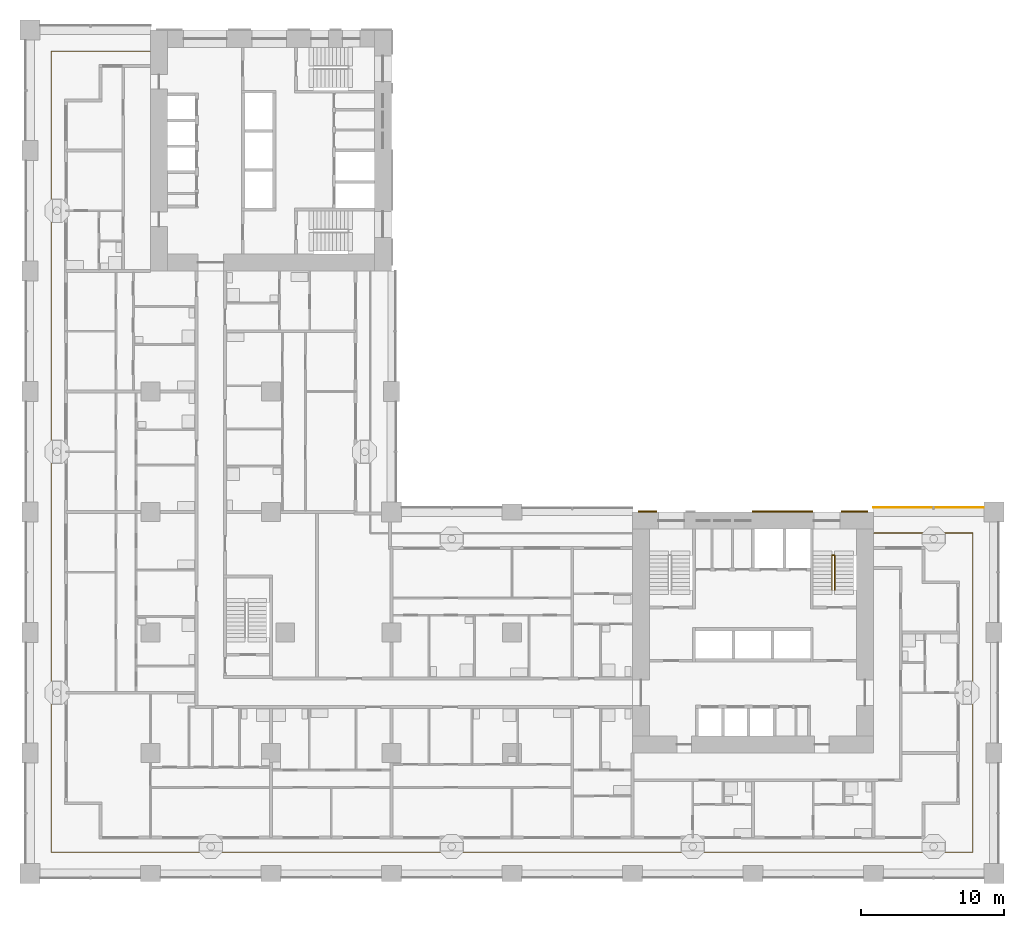
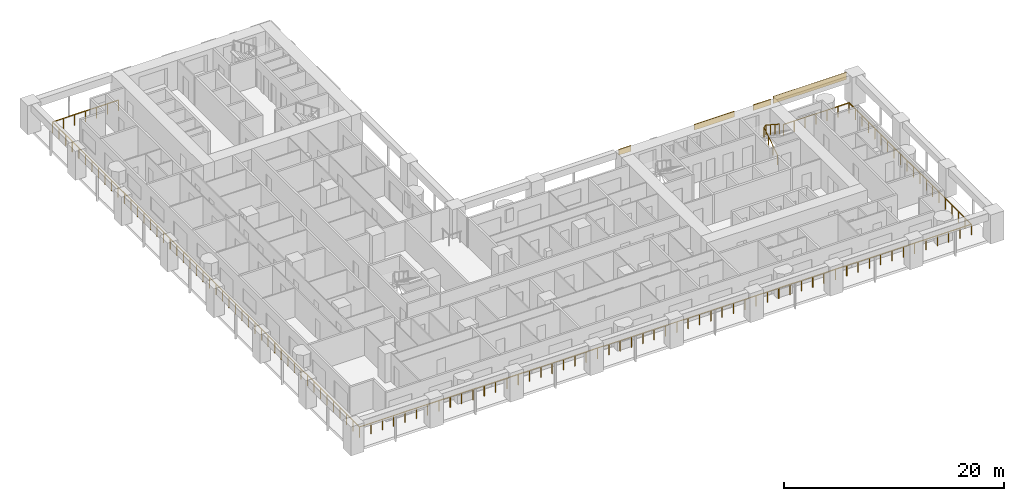
# One storey, part 14 of 22: 4 shading devices, 2 railings.
"""IFC4 building model written with IfcOpenShell, lengths in metres."""

import ifcopenshell
import ifcopenshell.guid

model = None  # the IFC model being written
_history = None  # IfcOwnerHistory: only IFC2X3 demands one
_inside = {}  # id of a spatial element -> (the spatial element, [elements in it])
_under = {}  # id of a project, library or spatial element -> (it, [spatial elements below it])
_declared = {}  # id of a project -> (the project, [libraries it declares])
_typed = {}  # id of a type object -> (the type object, [elements of that type])
_made_of = {}  # id of a material, layer set ... -> (it, [elements and type objects made of it])


def new_model(schema):
    """Start an empty IFC model of exactly this schema.

    Asked for "IFC4X3", IfcOpenShell would pick the latest addendum, in which some entities
    have other attributes; the version numbers below select the first issue.
    IFC2X3 requires an IfcOwnerHistory on every rooted entity: one is made here for all.
    """
    global model, _history
    if schema == "IFC4X3":
        model = ifcopenshell.file(schema_version=(4, 3, 0, 0))
    else:
        model = ifcopenshell.file(schema=schema)
    _inside.clear()
    _under.clear()
    _declared.clear()
    _typed.clear()
    _made_of.clear()
    _history = None
    if model.schema == "IFC2X3":
        org = make("IfcOrganization", Name="unknown")
        user = make(
            "IfcPersonAndOrganization",
            ThePerson=make("IfcPerson", FamilyName="unknown"),
            TheOrganization=org,
        )
        app = make(
            "IfcApplication",
            ApplicationDeveloper=org,
            Version="unknown",
            ApplicationFullName="unknown",
            ApplicationIdentifier="unknown",
        )
        _history = make(
            "IfcOwnerHistory",
            OwningUser=user,
            OwningApplication=app,
            ChangeAction="ADDED",
            CreationDate=0,
        )
    return model


def make(cls, **values):
    """One entity of the class cls with the attributes given. An attribute that is None is left unset."""
    return model.create_entity(
        cls, **{name: value for name, value in values.items() if value is not None}
    )


def rooted(cls, **values):
    """An entity with a GlobalId (a new one), such as an element, a storey or a relation."""
    return make(cls, GlobalId=ifcopenshell.guid.new(), OwnerHistory=_history, **values)


def si_unit(unit_type, name, prefix=None):
    """IfcSIUnit, for example si_unit("LENGTHUNIT", "METRE", prefix="MILLI")."""
    return make("IfcSIUnit", UnitType=unit_type, Prefix=prefix, Name=name)


def assignment(units):
    """IfcUnitAssignment: the units of a project."""
    return None if units is None else make("IfcUnitAssignment", Units=units)


def point(xyz):
    """IfcCartesianPoint."""
    return None if xyz is None else make("IfcCartesianPoint", Coordinates=xyz)


def direction(xyz):
    """IfcDirection."""
    return None if xyz is None else make("IfcDirection", DirectionRatios=xyz)


def frame(location, z_axis=None, x_axis=None):
    """IfcAxis2Placement3D, a coordinate frame: its origin and axes. An axis left out is left unset."""
    return make(
        "IfcAxis2Placement3D",
        Location=point(location),
        Axis=direction(z_axis),
        RefDirection=direction(x_axis),
    )


def frame_2d(location, x_axis=None):
    """IfcAxis2Placement2D, a coordinate frame in the plane: its origin and x axis."""
    return make(
        "IfcAxis2Placement2D", Location=point(location), RefDirection=direction(x_axis)
    )


def origin():
    """The frame at (0, 0, 0) with its axes left unset."""
    return frame((0.0, 0.0, 0.0))


def origin_2d():
    """The frame at (0, 0) in the plane with its x axis left unset."""
    return frame_2d((0.0, 0.0))


def place(relative_to, where):
    """IfcLocalPlacement: puts the frame where relative to a parent placement (None: the world)."""
    return make(
        "IfcLocalPlacement", PlacementRelTo=relative_to, RelativePlacement=where
    )


def context(
    kind, dimensions, precision=None, world=None, true_north=None, identifier=None
):
    """IfcGeometricRepresentationContext, for example the 3D "Model" context."""
    return make(
        "IfcGeometricRepresentationContext",
        ContextIdentifier=identifier,
        ContextType=kind,
        CoordinateSpaceDimension=dimensions,
        Precision=precision,
        WorldCoordinateSystem=world,
        TrueNorth=true_north,
    )


def subcontext(parent, identifier, kind, view, scale=None):
    """IfcGeometricRepresentationSubContext, for example "Body" below "Model"."""
    return make(
        "IfcGeometricRepresentationSubContext",
        ContextIdentifier=identifier,
        ContextType=kind,
        ParentContext=parent,
        TargetScale=scale,
        TargetView=view,
    )


def project(units=None, contexts=None):
    """IfcProject with its units and contexts."""
    return rooted(
        "IfcProject",
        Name="project",
        RepresentationContexts=contexts,
        UnitsInContext=assignment(units),
    )


def spatial(cls, under=None, at=None, **own):
    """A site, building, storey or space (cls), placed at a placement, below another one or the project."""
    s = rooted(cls, ObjectPlacement=at, **own)
    if under is not None:
        _under.setdefault(under.id(), (under, []))[1].append(s)
    return s


def profile(cls, at=None, kind="AREA", **sizes):
    """A parametric profile (cls). Its sizes go by their IFC names, for example OverallWidth=200.0."""
    return make(cls, ProfileType=kind, Position=at, **sizes)


def rectangle(**sizes):
    """IfcRectangleProfileDef."""
    return profile("IfcRectangleProfileDef", **sizes)


def circle(**sizes):
    """IfcCircleProfileDef."""
    return profile("IfcCircleProfileDef", **sizes)


def extrude(swept, where, along, depth):
    """IfcExtrudedAreaSolid: the profile swept, set in the frame where, extruded along a direction by depth."""
    return make(
        "IfcExtrudedAreaSolid",
        SweptArea=swept,
        Position=where,
        ExtrudedDirection=direction(along),
        Depth=depth,
    )


def shape(context_of_items, identifier, shape_type, items):
    """IfcShapeRepresentation: the items that make up one representation, for example the "Body"."""
    return make(
        "IfcShapeRepresentation",
        ContextOfItems=context_of_items,
        RepresentationIdentifier=identifier,
        RepresentationType=shape_type,
        Items=items,
    )


def material(Name=None, Category=None):
    """IfcMaterial."""
    return make("IfcMaterial", Name=Name, Category=Category)


def layer(
    of_material, thickness, ventilated=None, Name=None, Category=None, Priority=None
):
    """IfcMaterialLayer: one layer of a wall or slab, of a material (None: an air gap)."""
    return make(
        "IfcMaterialLayer",
        Material=of_material,
        LayerThickness=thickness,
        IsVentilated=ventilated,
        Name=Name,
        Category=Category,
        Priority=Priority,
    )


def layer_set(layers, Name=None):
    """IfcMaterialLayerSet."""
    return make("IfcMaterialLayerSet", MaterialLayers=layers, LayerSetName=Name)


def made_of(thing, what):
    """Note that an element or type object is made of a material, layer set ...; save() writes the relation."""
    if what is not None:
        _made_of.setdefault(what.id(), (what, []))[1].append(thing)
    return thing


def type_object(cls, material=None, **own):
    """A type object (cls), such as IfcWallType, which elements share."""
    return made_of(rooted(cls, **own), material)


def element(
    cls,
    number,
    at=None,
    inside=None,
    cuts=None,
    type_object=None,
    material=None,
    context=None,
    identifier="Body",
    shape_type=None,
    held_by="IfcProductDefinitionShape",
    body=None,
    shapes=None,
    **own,
):
    """One element of the class cls, such as IfcWall. Its Tag is "e" and its number.

    at: its placement. inside: the storey or other place that contains it. cuts: it is an
    opening in that element (IfcRelVoidsElement). A single representation is given by context,
    identifier, shape_type and body (its items); several are given by shapes. held_by: the class
    of the entity that holds the representations. save() writes the other relations.
    """
    e = rooted(cls, Tag="e%d" % number, ObjectPlacement=at, **own)
    if body is not None:
        shapes = [shape(context, identifier, shape_type, body)]
    if shapes is not None:
        e.Representation = make(held_by, Representations=shapes)
    if inside is not None:
        _inside.setdefault(inside.id(), (inside, []))[1].append(e)
    if cuts is not None:
        rooted(
            "IfcRelVoidsElement", RelatingBuildingElement=cuts, RelatedOpeningElement=e
        )
    if type_object is not None:
        _typed.setdefault(type_object.id(), (type_object, []))[1].append(e)
    return made_of(e, material)


def aggregate(whole, parts):
    """IfcRelAggregates: a whole, such as a stair, and the parts it consists of."""
    return rooted("IfcRelAggregates", RelatingObject=whole, RelatedObjects=parts)


def save(model, path):
    """Write the relations noted so far, then the file.

    IfcRelAggregates (storeys below a building ...), IfcRelContainedInSpatialStructure (elements
    in a storey), IfcRelDefinesByType, IfcRelAssociatesMaterial and IfcRelDeclares: one each for
    every whole, place, type object, material and project.
    """
    for whole, parts in _under.values():
        aggregate(whole, parts)
    for where, things in _inside.values():
        rooted(
            "IfcRelContainedInSpatialStructure",
            RelatedElements=things,
            RelatingStructure=where,
        )
    for kind, things in _typed.values():
        rooted("IfcRelDefinesByType", RelatedObjects=things, RelatingType=kind)
    for what, things in _made_of.values():
        rooted("IfcRelAssociatesMaterial", RelatedObjects=things, RelatingMaterial=what)
    for by, libraries in _declared.values():
        rooted("IfcRelDeclares", RelatingContext=by, RelatedDefinitions=libraries)
    model.write(path)


model = new_model("IFC4")

# Units and contexts
model_context = context("Model", 3, precision=1e-05, world=origin(), true_north=direction((0.0, 1.0)))
body_context = subcontext(model_context, "Body", "Model", "MODEL_VIEW")
ifc_project = project(units=[si_unit("LENGTHUNIT", "METRE"), si_unit("AREAUNIT", "SQUARE_METRE"), si_unit("VOLUMEUNIT", "CUBIC_METRE"), si_unit("PLANEANGLEUNIT", "RADIAN"), si_unit("MASSUNIT", "GRAM", prefix="KILO")], contexts=[model_context])

# Site, building, storey
site_placement = place(None, origin())
site = spatial("IfcSite", under=ifc_project, at=site_placement, CompositionType="ELEMENT")
building_placement = place(site_placement, origin())
building = spatial("IfcBuilding", under=site, at=building_placement, Name="Vermilion Gate Residences", CompositionType="ELEMENT")
storey_placement = place(building_placement, frame((0.0, 0.0, 56.699951171875)))
storey = spatial("IfcBuildingStorey", under=building, at=storey_placement, Name="L13", CompositionType="ELEMENT", Elevation=56.699951171875)

# Railing
ifc_material_1 = material(Name="Stainless steel and toughened glass", Category="steel")
railing_type_1 = type_object("IfcRailingType", Name="LOGGIA GUARD STEEL AND GLASS 1200", PredefinedType="GUARDRAIL", material=ifc_material_1)
railing_1_placement = place(storey_placement, frame((8.3779296875, 57.324951171875, 0.0)))
element("IfcRailing", 1, at=railing_1_placement, inside=storey, type_object=railing_type_1, Name="Loggia guard", PredefinedType="GUARDRAIL", context=body_context, shape_type="SweptSolid", body=[
    extrude(circle(Radius=0.030029296875, at=origin_2d()), frame((0.0, 0.0, 1.169921875), z_axis=(-1.0, 0.0, 0.0), x_axis=(0.0, -1.0, 0.0)), (0.0, 0.0, 1.0), 6.90283203125),
    extrude(circle(Radius=0.030029296875, at=origin_2d()), frame((-6.90283203125, 0.0, 1.169921875), z_axis=(0.0, -1.0, 0.0), x_axis=(1.0, 0.0, 0.0)), (0.0, 0.0, 1.0), 55.849853515625),
    extrude(circle(Radius=0.030029296875, at=origin_2d()), frame((-6.90283203125, -55.849853515625, 1.169921875), z_axis=(1.0, 0.0, 0.0), x_axis=(0.0, 1.0, 0.0)), (0.0, 0.0, 1.0), 64.25),
    extrude(circle(Radius=0.030029296875, at=origin_2d()), frame((57.34716796875, -55.849853515625, 1.169921875), z_axis=(0.0, 1.0, 0.0), x_axis=(-1.0, 0.0, 0.0)), (0.0, 0.0, 1.0), 22.25),
    extrude(circle(Radius=0.030029296875, at=origin_2d()), frame((57.34716796875, -33.599853515625, 1.169921875), z_axis=(-1.0, 0.0, 0.0), x_axis=(0.0, -1.0, 0.0)), (0.0, 0.0, 1.0), 6.903076171875),
    extrude(circle(Radius=0.02490234375, at=origin_2d()), origin(), (0.0, 0.0, 1.0), 1.139892578125),
    extrude(circle(Radius=0.02490234375, at=origin_2d()), frame((-1.150390625, 0.0, 0.0)), (0.0, 0.0, 1.0), 1.139892578125),
    extrude(circle(Radius=0.02490234375, at=origin_2d()), frame((-2.301025390625, 0.0, 0.0)), (0.0, 0.0, 1.0), 1.139892578125),
    extrude(circle(Radius=0.02490234375, at=origin_2d()), frame((-3.451416015625, 0.0, 0.0)), (0.0, 0.0, 1.0), 1.139892578125),
    extrude(circle(Radius=0.02490234375, at=origin_2d()), frame((-4.601806640625, 0.0, 0.0)), (0.0, 0.0, 1.0), 1.139892578125),
    extrude(circle(Radius=0.02490234375, at=origin_2d()), frame((-5.75244140625, 0.0, 0.0)), (0.0, 0.0, 1.0), 1.139892578125),
    extrude(circle(Radius=0.02490234375, at=origin_2d()), frame((-6.90283203125, 0.0, 0.0)), (0.0, 0.0, 1.0), 1.139892578125),
    extrude(circle(Radius=0.02490234375, at=origin_2d()), frame((-6.90283203125, -1.188232421875, 0.0)), (0.0, 0.0, 1.0), 1.139892578125),
    extrude(circle(Radius=0.02490234375, at=origin_2d()), frame((-6.90283203125, -2.376708984375, 0.0)), (0.0, 0.0, 1.0), 1.139892578125),
    extrude(circle(Radius=0.02490234375, at=origin_2d()), frame((-6.90283203125, -3.56494140625, 0.0)), (0.0, 0.0, 1.0), 1.139892578125),
    extrude(circle(Radius=0.02490234375, at=origin_2d()), frame((-6.90283203125, -4.753173828125, 0.0)), (0.0, 0.0, 1.0), 1.139892578125),
    extrude(circle(Radius=0.02490234375, at=origin_2d()), frame((-6.90283203125, -5.94140625, 0.0)), (0.0, 0.0, 1.0), 1.139892578125),
    extrude(circle(Radius=0.02490234375, at=origin_2d()), frame((-6.90283203125, -7.1298828125, 0.0)), (0.0, 0.0, 1.0), 1.139892578125),
    extrude(circle(Radius=0.02490234375, at=origin_2d()), frame((-6.90283203125, -8.318115234375, 0.0)), (0.0, 0.0, 1.0), 1.139892578125),
    extrude(circle(Radius=0.02490234375, at=origin_2d()), frame((-6.90283203125, -9.50634765625, 0.0)), (0.0, 0.0, 1.0), 1.139892578125),
    extrude(circle(Radius=0.02490234375, at=origin_2d()), frame((-6.90283203125, -10.694580078125, 0.0)), (0.0, 0.0, 1.0), 1.139892578125),
    extrude(circle(Radius=0.02490234375, at=origin_2d()), frame((-6.90283203125, -11.883056640625, 0.0)), (0.0, 0.0, 1.0), 1.139892578125),
    extrude(circle(Radius=0.02490234375, at=origin_2d()), frame((-6.90283203125, -13.0712890625, 0.0)), (0.0, 0.0, 1.0), 1.139892578125),
    extrude(circle(Radius=0.02490234375, at=origin_2d()), frame((-6.90283203125, -14.259521484375, 0.0)), (0.0, 0.0, 1.0), 1.139892578125),
    extrude(circle(Radius=0.02490234375, at=origin_2d()), frame((-6.90283203125, -15.44775390625, 0.0)), (0.0, 0.0, 1.0), 1.139892578125),
    extrude(circle(Radius=0.02490234375, at=origin_2d()), frame((-6.90283203125, -16.63623046875, 0.0)), (0.0, 0.0, 1.0), 1.139892578125),
    extrude(circle(Radius=0.02490234375, at=origin_2d()), frame((-6.90283203125, -17.824462890625, 0.0)), (0.0, 0.0, 1.0), 1.139892578125),
    extrude(circle(Radius=0.02490234375, at=origin_2d()), frame((-6.90283203125, -19.0126953125, 0.0)), (0.0, 0.0, 1.0), 1.139892578125),
    extrude(circle(Radius=0.02490234375, at=origin_2d()), frame((-6.90283203125, -20.200927734375, 0.0)), (0.0, 0.0, 1.0), 1.139892578125),
    extrude(circle(Radius=0.02490234375, at=origin_2d()), frame((-6.90283203125, -21.389404296875, 0.0)), (0.0, 0.0, 1.0), 1.139892578125),
    extrude(circle(Radius=0.02490234375, at=origin_2d()), frame((-6.90283203125, -22.57763671875, 0.0)), (0.0, 0.0, 1.0), 1.139892578125),
    extrude(circle(Radius=0.02490234375, at=origin_2d()), frame((-6.90283203125, -23.765869140625, 0.0)), (0.0, 0.0, 1.0), 1.139892578125),
    extrude(circle(Radius=0.02490234375, at=origin_2d()), frame((-6.90283203125, -24.9541015625, 0.0)), (0.0, 0.0, 1.0), 1.139892578125),
    extrude(circle(Radius=0.02490234375, at=origin_2d()), frame((-6.90283203125, -26.142578125, 0.0)), (0.0, 0.0, 1.0), 1.139892578125),
    extrude(circle(Radius=0.02490234375, at=origin_2d()), frame((-6.90283203125, -27.330810546875, 0.0)), (0.0, 0.0, 1.0), 1.139892578125),
    extrude(circle(Radius=0.02490234375, at=origin_2d()), frame((-6.90283203125, -28.51904296875, 0.0)), (0.0, 0.0, 1.0), 1.139892578125),
    extrude(circle(Radius=0.02490234375, at=origin_2d()), frame((-6.90283203125, -29.707275390625, 0.0)), (0.0, 0.0, 1.0), 1.139892578125),
    extrude(circle(Radius=0.02490234375, at=origin_2d()), frame((-6.90283203125, -30.895751953125, 0.0)), (0.0, 0.0, 1.0), 1.139892578125),
    extrude(circle(Radius=0.02490234375, at=origin_2d()), frame((-6.90283203125, -32.083984375, 0.0)), (0.0, 0.0, 1.0), 1.139892578125),
    extrude(circle(Radius=0.02490234375, at=origin_2d()), frame((-6.90283203125, -33.272216796875, 0.0)), (0.0, 0.0, 1.0), 1.139892578125),
    extrude(circle(Radius=0.02490234375, at=origin_2d()), frame((-6.90283203125, -34.46044921875, 0.0)), (0.0, 0.0, 1.0), 1.139892578125),
    extrude(circle(Radius=0.02490234375, at=origin_2d()), frame((-6.90283203125, -35.64892578125, 0.0)), (0.0, 0.0, 1.0), 1.139892578125),
    extrude(circle(Radius=0.02490234375, at=origin_2d()), frame((-6.90283203125, -36.837158203125, 0.0)), (0.0, 0.0, 1.0), 1.139892578125),
    extrude(circle(Radius=0.02490234375, at=origin_2d()), frame((-6.90283203125, -38.025390625, 0.0)), (0.0, 0.0, 1.0), 1.139892578125),
    extrude(circle(Radius=0.02490234375, at=origin_2d()), frame((-6.90283203125, -39.213623046875, 0.0)), (0.0, 0.0, 1.0), 1.139892578125),
    extrude(circle(Radius=0.02490234375, at=origin_2d()), frame((-6.90283203125, -40.402099609375, 0.0)), (0.0, 0.0, 1.0), 1.139892578125),
    extrude(circle(Radius=0.02490234375, at=origin_2d()), frame((-6.90283203125, -41.59033203125, 0.0)), (0.0, 0.0, 1.0), 1.139892578125),
    extrude(circle(Radius=0.02490234375, at=origin_2d()), frame((-6.90283203125, -42.778564453125, 0.0)), (0.0, 0.0, 1.0), 1.139892578125),
    extrude(circle(Radius=0.02490234375, at=origin_2d()), frame((-6.90283203125, -43.966796875, 0.0)), (0.0, 0.0, 1.0), 1.139892578125),
    extrude(circle(Radius=0.02490234375, at=origin_2d()), frame((-6.90283203125, -45.1552734375, 0.0)), (0.0, 0.0, 1.0), 1.139892578125),
    extrude(circle(Radius=0.02490234375, at=origin_2d()), frame((-6.90283203125, -46.343505859375, 0.0)), (0.0, 0.0, 1.0), 1.139892578125),
    extrude(circle(Radius=0.02490234375, at=origin_2d()), frame((-6.90283203125, -47.53173828125, 0.0)), (0.0, 0.0, 1.0), 1.139892578125),
    extrude(circle(Radius=0.02490234375, at=origin_2d()), frame((-6.90283203125, -48.719970703125, 0.0)), (0.0, 0.0, 1.0), 1.139892578125),
    extrude(circle(Radius=0.02490234375, at=origin_2d()), frame((-6.90283203125, -49.908447265625, 0.0)), (0.0, 0.0, 1.0), 1.139892578125),
    extrude(circle(Radius=0.02490234375, at=origin_2d()), frame((-6.90283203125, -51.0966796875, 0.0)), (0.0, 0.0, 1.0), 1.139892578125),
    extrude(circle(Radius=0.02490234375, at=origin_2d()), frame((-6.90283203125, -52.284912109375, 0.0)), (0.0, 0.0, 1.0), 1.139892578125),
    extrude(circle(Radius=0.02490234375, at=origin_2d()), frame((-6.90283203125, -53.47314453125, 0.0)), (0.0, 0.0, 1.0), 1.139892578125),
    extrude(circle(Radius=0.02490234375, at=origin_2d()), frame((-6.90283203125, -54.66162109375, 0.0)), (0.0, 0.0, 1.0), 1.139892578125),
    extrude(circle(Radius=0.02490234375, at=origin_2d()), frame((-6.90283203125, -55.849853515625, 0.0)), (0.0, 0.0, 1.0), 1.139892578125),
    extrude(circle(Radius=0.02490234375, at=origin_2d()), frame((-5.713134765625, -55.849853515625, 0.0)), (0.0, 0.0, 1.0), 1.139892578125),
    extrude(circle(Radius=0.02490234375, at=origin_2d()), frame((-4.523193359375, -55.849853515625, 0.0)), (0.0, 0.0, 1.0), 1.139892578125),
    extrude(circle(Radius=0.02490234375, at=origin_2d()), frame((-3.33349609375, -55.849853515625, 0.0)), (0.0, 0.0, 1.0), 1.139892578125),
    extrude(circle(Radius=0.02490234375, at=origin_2d()), frame((-2.1435546875, -55.849853515625, 0.0)), (0.0, 0.0, 1.0), 1.139892578125),
    extrude(circle(Radius=0.02490234375, at=origin_2d()), frame((-0.953857421875, -55.849853515625, 0.0)), (0.0, 0.0, 1.0), 1.139892578125),
    extrude(circle(Radius=0.02490234375, at=origin_2d()), frame((0.236083984375, -55.849853515625, 0.0)), (0.0, 0.0, 1.0), 1.139892578125),
    extrude(circle(Radius=0.02490234375, at=origin_2d()), frame((1.42578125, -55.849853515625, 0.0)), (0.0, 0.0, 1.0), 1.139892578125),
    extrude(circle(Radius=0.02490234375, at=origin_2d()), frame((2.61572265625, -55.849853515625, 0.0)), (0.0, 0.0, 1.0), 1.139892578125),
    extrude(circle(Radius=0.02490234375, at=origin_2d()), frame((3.805419921875, -55.849853515625, 0.0)), (0.0, 0.0, 1.0), 1.139892578125),
    extrude(circle(Radius=0.02490234375, at=origin_2d()), frame((4.995361328125, -55.849853515625, 0.0)), (0.0, 0.0, 1.0), 1.139892578125),
    extrude(circle(Radius=0.02490234375, at=origin_2d()), frame((6.18505859375, -55.849853515625, 0.0)), (0.0, 0.0, 1.0), 1.139892578125),
    extrude(circle(Radius=0.02490234375, at=origin_2d()), frame((7.375, -55.849853515625, 0.0)), (0.0, 0.0, 1.0), 1.139892578125),
    extrude(circle(Radius=0.02490234375, at=origin_2d()), frame((8.564697265625, -55.849853515625, 0.0)), (0.0, 0.0, 1.0), 1.139892578125),
    extrude(circle(Radius=0.02490234375, at=origin_2d()), frame((9.754638671875, -55.849853515625, 0.0)), (0.0, 0.0, 1.0), 1.139892578125),
    extrude(circle(Radius=0.02490234375, at=origin_2d()), frame((10.9443359375, -55.849853515625, 0.0)), (0.0, 0.0, 1.0), 1.139892578125),
    extrude(circle(Radius=0.02490234375, at=origin_2d()), frame((12.13427734375, -55.849853515625, 0.0)), (0.0, 0.0, 1.0), 1.139892578125),
    extrude(circle(Radius=0.02490234375, at=origin_2d()), frame((13.323974609375, -55.849853515625, 0.0)), (0.0, 0.0, 1.0), 1.139892578125),
    extrude(circle(Radius=0.02490234375, at=origin_2d()), frame((14.513916015625, -55.849853515625, 0.0)), (0.0, 0.0, 1.0), 1.139892578125),
    extrude(circle(Radius=0.02490234375, at=origin_2d()), frame((15.70361328125, -55.849853515625, 0.0)), (0.0, 0.0, 1.0), 1.139892578125),
    extrude(circle(Radius=0.02490234375, at=origin_2d()), frame((16.8935546875, -55.849853515625, 0.0)), (0.0, 0.0, 1.0), 1.139892578125),
    extrude(circle(Radius=0.02490234375, at=origin_2d()), frame((18.083251953125, -55.849853515625, 0.0)), (0.0, 0.0, 1.0), 1.139892578125),
    extrude(circle(Radius=0.02490234375, at=origin_2d()), frame((19.273193359375, -55.849853515625, 0.0)), (0.0, 0.0, 1.0), 1.139892578125),
    extrude(circle(Radius=0.02490234375, at=origin_2d()), frame((20.462890625, -55.849853515625, 0.0)), (0.0, 0.0, 1.0), 1.139892578125),
    extrude(circle(Radius=0.02490234375, at=origin_2d()), frame((21.65283203125, -55.849853515625, 0.0)), (0.0, 0.0, 1.0), 1.139892578125),
    extrude(circle(Radius=0.02490234375, at=origin_2d()), frame((22.842529296875, -55.849853515625, 0.0)), (0.0, 0.0, 1.0), 1.139892578125),
    extrude(circle(Radius=0.02490234375, at=origin_2d()), frame((24.032470703125, -55.849853515625, 0.0)), (0.0, 0.0, 1.0), 1.139892578125),
    extrude(circle(Radius=0.02490234375, at=origin_2d()), frame((25.22216796875, -55.849853515625, 0.0)), (0.0, 0.0, 1.0), 1.139892578125),
    extrude(circle(Radius=0.02490234375, at=origin_2d()), frame((26.411865234375, -55.849853515625, 0.0)), (0.0, 0.0, 1.0), 1.139892578125),
    extrude(circle(Radius=0.02490234375, at=origin_2d()), frame((27.601806640625, -55.849853515625, 0.0)), (0.0, 0.0, 1.0), 1.139892578125),
    extrude(circle(Radius=0.02490234375, at=origin_2d()), frame((28.79150390625, -55.849853515625, 0.0)), (0.0, 0.0, 1.0), 1.139892578125),
    extrude(circle(Radius=0.02490234375, at=origin_2d()), frame((29.9814453125, -55.849853515625, 0.0)), (0.0, 0.0, 1.0), 1.139892578125),
    extrude(circle(Radius=0.02490234375, at=origin_2d()), frame((31.171142578125, -55.849853515625, 0.0)), (0.0, 0.0, 1.0), 1.139892578125),
    extrude(circle(Radius=0.02490234375, at=origin_2d()), frame((32.361083984375, -55.849853515625, 0.0)), (0.0, 0.0, 1.0), 1.139892578125),
    extrude(circle(Radius=0.02490234375, at=origin_2d()), frame((33.55078125, -55.849853515625, 0.0)), (0.0, 0.0, 1.0), 1.139892578125),
    extrude(circle(Radius=0.02490234375, at=origin_2d()), frame((34.74072265625, -55.849853515625, 0.0)), (0.0, 0.0, 1.0), 1.139892578125),
    extrude(circle(Radius=0.02490234375, at=origin_2d()), frame((35.930419921875, -55.849853515625, 0.0)), (0.0, 0.0, 1.0), 1.139892578125),
    extrude(circle(Radius=0.02490234375, at=origin_2d()), frame((37.120361328125, -55.849853515625, 0.0)), (0.0, 0.0, 1.0), 1.139892578125),
    extrude(circle(Radius=0.02490234375, at=origin_2d()), frame((38.31005859375, -55.849853515625, 0.0)), (0.0, 0.0, 1.0), 1.139892578125),
    extrude(circle(Radius=0.02490234375, at=origin_2d()), frame((39.5, -55.849853515625, 0.0)), (0.0, 0.0, 1.0), 1.139892578125),
    extrude(circle(Radius=0.02490234375, at=origin_2d()), frame((40.689697265625, -55.849853515625, 0.0)), (0.0, 0.0, 1.0), 1.139892578125),
    extrude(circle(Radius=0.02490234375, at=origin_2d()), frame((41.879638671875, -55.849853515625, 0.0)), (0.0, 0.0, 1.0), 1.139892578125),
    extrude(circle(Radius=0.02490234375, at=origin_2d()), frame((43.0693359375, -55.849853515625, 0.0)), (0.0, 0.0, 1.0), 1.139892578125),
    extrude(circle(Radius=0.02490234375, at=origin_2d()), frame((44.25927734375, -55.849853515625, 0.0)), (0.0, 0.0, 1.0), 1.139892578125),
    extrude(circle(Radius=0.02490234375, at=origin_2d()), frame((45.448974609375, -55.849853515625, 0.0)), (0.0, 0.0, 1.0), 1.139892578125),
    extrude(circle(Radius=0.02490234375, at=origin_2d()), frame((46.638916015625, -55.849853515625, 0.0)), (0.0, 0.0, 1.0), 1.139892578125),
    extrude(circle(Radius=0.02490234375, at=origin_2d()), frame((47.82861328125, -55.849853515625, 0.0)), (0.0, 0.0, 1.0), 1.139892578125),
    extrude(circle(Radius=0.02490234375, at=origin_2d()), frame((49.0185546875, -55.849853515625, 0.0)), (0.0, 0.0, 1.0), 1.139892578125),
    extrude(circle(Radius=0.02490234375, at=origin_2d()), frame((50.208251953125, -55.849853515625, 0.0)), (0.0, 0.0, 1.0), 1.139892578125),
    extrude(circle(Radius=0.02490234375, at=origin_2d()), frame((51.398193359375, -55.849853515625, 0.0)), (0.0, 0.0, 1.0), 1.139892578125),
    extrude(circle(Radius=0.02490234375, at=origin_2d()), frame((52.587890625, -55.849853515625, 0.0)), (0.0, 0.0, 1.0), 1.139892578125),
    extrude(circle(Radius=0.02490234375, at=origin_2d()), frame((53.77783203125, -55.849853515625, 0.0)), (0.0, 0.0, 1.0), 1.139892578125),
    extrude(circle(Radius=0.02490234375, at=origin_2d()), frame((54.967529296875, -55.849853515625, 0.0)), (0.0, 0.0, 1.0), 1.139892578125),
    extrude(circle(Radius=0.02490234375, at=origin_2d()), frame((56.157470703125, -55.849853515625, 0.0)), (0.0, 0.0, 1.0), 1.139892578125),
    extrude(circle(Radius=0.02490234375, at=origin_2d()), frame((57.34716796875, -55.849853515625, 0.0)), (0.0, 0.0, 1.0), 1.139892578125),
    extrude(circle(Radius=0.02490234375, at=origin_2d()), frame((57.34716796875, -54.6787109375, 0.0)), (0.0, 0.0, 1.0), 1.139892578125),
    extrude(circle(Radius=0.02490234375, at=origin_2d()), frame((57.34716796875, -53.5078125, 0.0)), (0.0, 0.0, 1.0), 1.139892578125),
    extrude(circle(Radius=0.02490234375, at=origin_2d()), frame((57.34716796875, -52.336669921875, 0.0)), (0.0, 0.0, 1.0), 1.139892578125),
    extrude(circle(Radius=0.02490234375, at=origin_2d()), frame((57.34716796875, -51.16552734375, 0.0)), (0.0, 0.0, 1.0), 1.139892578125),
    extrude(circle(Radius=0.02490234375, at=origin_2d()), frame((57.34716796875, -49.99462890625, 0.0)), (0.0, 0.0, 1.0), 1.139892578125),
    extrude(circle(Radius=0.02490234375, at=origin_2d()), frame((57.34716796875, -48.823486328125, 0.0)), (0.0, 0.0, 1.0), 1.139892578125),
    extrude(circle(Radius=0.02490234375, at=origin_2d()), frame((57.34716796875, -47.652587890625, 0.0)), (0.0, 0.0, 1.0), 1.139892578125),
    extrude(circle(Radius=0.02490234375, at=origin_2d()), frame((57.34716796875, -46.4814453125, 0.0)), (0.0, 0.0, 1.0), 1.139892578125),
    extrude(circle(Radius=0.02490234375, at=origin_2d()), frame((57.34716796875, -45.310302734375, 0.0)), (0.0, 0.0, 1.0), 1.139892578125),
    extrude(circle(Radius=0.02490234375, at=origin_2d()), frame((57.34716796875, -44.139404296875, 0.0)), (0.0, 0.0, 1.0), 1.139892578125),
    extrude(circle(Radius=0.02490234375, at=origin_2d()), frame((57.34716796875, -42.96826171875, 0.0)), (0.0, 0.0, 1.0), 1.139892578125),
    extrude(circle(Radius=0.02490234375, at=origin_2d()), frame((57.34716796875, -41.797119140625, 0.0)), (0.0, 0.0, 1.0), 1.139892578125),
    extrude(circle(Radius=0.02490234375, at=origin_2d()), frame((57.34716796875, -40.626220703125, 0.0)), (0.0, 0.0, 1.0), 1.139892578125),
    extrude(circle(Radius=0.02490234375, at=origin_2d()), frame((57.34716796875, -39.455078125, 0.0)), (0.0, 0.0, 1.0), 1.139892578125),
    extrude(circle(Radius=0.02490234375, at=origin_2d()), frame((57.34716796875, -38.2841796875, 0.0)), (0.0, 0.0, 1.0), 1.139892578125),
    extrude(circle(Radius=0.02490234375, at=origin_2d()), frame((57.34716796875, -37.113037109375, 0.0)), (0.0, 0.0, 1.0), 1.139892578125),
    extrude(circle(Radius=0.02490234375, at=origin_2d()), frame((57.34716796875, -35.94189453125, 0.0)), (0.0, 0.0, 1.0), 1.139892578125),
    extrude(circle(Radius=0.02490234375, at=origin_2d()), frame((57.34716796875, -34.77099609375, 0.0)), (0.0, 0.0, 1.0), 1.139892578125),
    extrude(circle(Radius=0.02490234375, at=origin_2d()), frame((57.34716796875, -33.599853515625, 0.0)), (0.0, 0.0, 1.0), 1.139892578125),
    extrude(circle(Radius=0.02490234375, at=origin_2d()), frame((56.19677734375, -33.599853515625, 0.0)), (0.0, 0.0, 1.0), 1.139892578125),
    extrude(circle(Radius=0.02490234375, at=origin_2d()), frame((55.046142578125, -33.599853515625, 0.0)), (0.0, 0.0, 1.0), 1.139892578125),
    extrude(circle(Radius=0.02490234375, at=origin_2d()), frame((53.8955078125, -33.599853515625, 0.0)), (0.0, 0.0, 1.0), 1.139892578125),
    extrude(circle(Radius=0.02490234375, at=origin_2d()), frame((52.7451171875, -33.599853515625, 0.0)), (0.0, 0.0, 1.0), 1.139892578125),
    extrude(circle(Radius=0.02490234375, at=origin_2d()), frame((51.5947265625, -33.599853515625, 0.0)), (0.0, 0.0, 1.0), 1.139892578125),
    extrude(circle(Radius=0.02490234375, at=origin_2d()), frame((50.444091796875, -33.599853515625, 0.0)), (0.0, 0.0, 1.0), 1.139892578125),
])

# Shading device
ifc_material_2 = material(Name="Perforated terracotta", Category="masonry")
ifc_layer_1 = layer(ifc_material_2, 0.0400390625)
ifc_layer_set_1 = layer_set([ifc_layer_1], Name="PERFORATED TERRACOTTA SCREEN 40")
shading_device_type_1 = type_object("IfcShadingDeviceType", Name="PERFORATED TERRACOTTA SCREEN 40", PredefinedType="SHUTTER", material=ifc_layer_set_1)
shading_device_1_placement = place(storey_placement, frame((62.64990234375, 25.52001953125, 2.419921875), z_axis=(0.0, 0.0, 1.0), x_axis=(-1.0, 0.0, 0.0)))
element("IfcShadingDevice", 2, at=shading_device_1_placement, inside=storey, type_object=shading_device_type_1, Name="SCREEN", PredefinedType="SHUTTER", context=body_context, shape_type="SweptSolid", body=[
    extrude(rectangle(XDim=7.699951171875, YDim=0.0400390625, at=origin_2d()), origin(), (0.0, 0.0, 1.0), 0.800048828125),
])

# Railing
ifc_material_3 = material(Name="Steel S355", Category="steel")
railing_type_2 = type_object("IfcRailingType", Name="STAIR GUARD 1100 STEEL", PredefinedType="GUARDRAIL", material=ifc_material_3)
railing_2_placement = place(storey_placement, frame((55.89990234375, 19.75, 0.175048828125)))
element("IfcRailing", 3, at=railing_2_placement, inside=storey, type_object=railing_type_2, Name="Stair well guard STA2-13", PredefinedType="GUARDRAIL", context=body_context, shape_type="SweptSolid", body=[
    extrude(circle(Radius=0.02392578125, at=origin_2d()), frame((0.0, 0.0, 1.076171875), z_axis=(0.0, 0.839153699163, 0.543894354798), x_axis=(-1.0, 0.0, 0.0)), (0.0, 0.0, 1.0), 2.895751953125),
    extrude(circle(Radius=0.02392578125, at=origin_2d()), frame((0.0, 2.429931640625, 2.65087890625), z_axis=(0.752804132164, 0.0, 0.658244588734), x_axis=(0.0, 1.0, 0.0)), (0.0, 0.0, 1.0), 0.265869140625),
    extrude(circle(Radius=0.02392578125, at=origin_2d()), frame((0.2001953125, 2.429931640625, 2.826171875), z_axis=(0.0, -0.839153699163, 0.543894354798), x_axis=(1.0, 0.0, 0.0)), (0.0, 0.0, 1.0), 2.895751953125),
    extrude(circle(Radius=0.02099609375, at=origin_2d()), origin(), (0.0, 0.0, 1.0), 1.052001953125),
    extrude(circle(Radius=0.02099609375, at=origin_2d()), frame((0.0, 0.81005859375, 0.52490234375)), (0.0, 0.0, 1.0), 1.052001953125),
    extrude(circle(Radius=0.02099609375, at=origin_2d()), frame((0.0, 1.619873046875, 1.050048828125)), (0.0, 0.0, 1.0), 1.052001953125),
    extrude(circle(Radius=0.02099609375, at=origin_2d()), frame((0.0, 2.429931640625, 1.574951171875)), (0.0, 0.0, 1.0), 1.052001953125),
    extrude(circle(Radius=0.02099609375, at=origin_2d()), frame((0.2001953125, 2.429931640625, 1.75)), (0.0, 0.0, 1.0), 1.052001953125),
    extrude(circle(Radius=0.02099609375, at=origin_2d()), frame((0.2001953125, 1.619873046875, 2.27490234375)), (0.0, 0.0, 1.0), 1.052001953125),
    extrude(circle(Radius=0.02099609375, at=origin_2d()), frame((0.2001953125, 0.81005859375, 2.800048828125)), (0.0, 0.0, 1.0), 1.052001953125),
    extrude(circle(Radius=0.02099609375, at=origin_2d()), frame((0.2001953125, 0.0, 3.324951171875)), (0.0, 0.0, 1.0), 1.052001953125),
])

# Shading devices
ifc_material_4 = material(Name="Extruded terracotta", Category="masonry")
ifc_layer_2 = layer(ifc_material_4, 0.10009765625)
ifc_layer_set_2 = layer_set([ifc_layer_2], Name="TERRACOTTA SPANDREL BAND 600 X 100")
shading_device_type_2 = type_object("IfcShadingDeviceType", Name="TERRACOTTA SPANDREL BAND 600 X 100", PredefinedType="USERDEFINED", material=ifc_layer_set_2)
shading_device_2_placement = place(storey_placement, frame((43.050048828125, 25.25, 2.6201171875), z_axis=(0.0, 0.0, 1.0), x_axis=(1.0, 0.0, 0.0)))
element("IfcShadingDevice", 4, at=shading_device_2_placement, inside=storey, type_object=shading_device_type_2, Name="SPANDREL BAND", ObjectType="BAND", PredefinedType="USERDEFINED", context=body_context, shape_type="SweptSolid", body=[
    extrude(rectangle(XDim=1.300048828125, YDim=0.10009765625, at=origin_2d()), origin(), (0.0, 0.0, 1.0), 0.60009765625),
])
shading_device_3_placement = place(storey_placement, frame((52.449951171875, 25.25, 2.6201171875), z_axis=(0.0, 0.0, 1.0), x_axis=(1.0, 0.0, 0.0)))
element("IfcShadingDevice", 5, at=shading_device_3_placement, inside=storey, type_object=shading_device_type_2, Name="SPANDREL BAND", ObjectType="BAND", PredefinedType="USERDEFINED", context=body_context, shape_type="SweptSolid", body=[
    extrude(rectangle(XDim=4.199951171875, YDim=0.10009765625, at=origin_2d()), origin(), (0.0, 0.0, 1.0), 0.60009765625),
])
shading_device_4_placement = place(storey_placement, frame((57.47509765625, 25.25, 2.6201171875), z_axis=(0.0, 0.0, 1.0), x_axis=(1.0, 0.0, 0.0)))
element("IfcShadingDevice", 6, at=shading_device_4_placement, inside=storey, type_object=shading_device_type_2, Name="SPANDREL BAND", ObjectType="BAND", PredefinedType="USERDEFINED", context=body_context, shape_type="SweptSolid", body=[
    extrude(rectangle(XDim=1.85009765625, YDim=0.10009765625, at=origin_2d()), origin(), (0.0, 0.0, 1.0), 0.60009765625),
])

save(model, "model.ifc")
